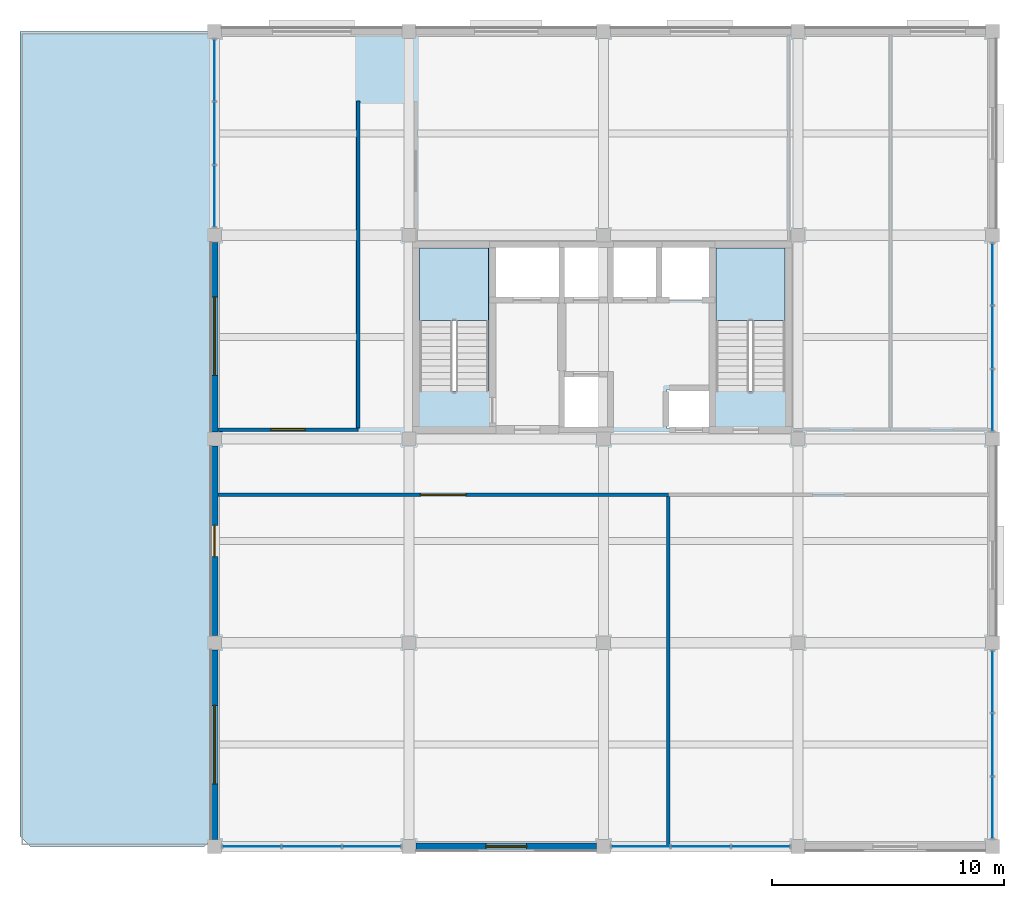
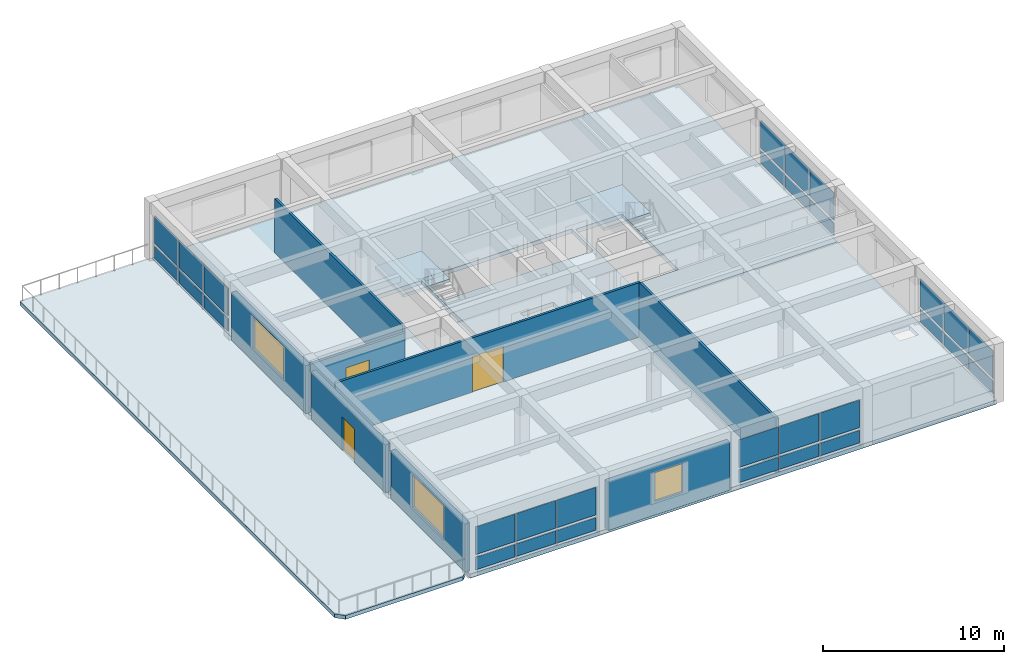
# One storey, part 5 of 10: 30 plates, 8 walls, 5 slabs, 3 doors, 3 windows, 6 openings, 7 elements without a shape of their own.
"""IFC4 building model written with IfcOpenShell, lengths in metres."""

from ifc_helpers import new_model, si_unit, direction, frame, frame_2d, origin, origin_2d, place, context, subcontext, project, spatial, polyline, rectangle, outline, extrude, material, layer, layer_set, type_object, element, fill, aggregate, save


model = new_model("IFC4")

# Units and contexts
model_context = context("Model", 3, precision=1e-05, world=origin(), true_north=direction((0.0, 1.0)))
body_context = subcontext(model_context, "Body", "Model", "MODEL_VIEW")
ifc_project = project(units=[si_unit("LENGTHUNIT", "METRE"), si_unit("AREAUNIT", "SQUARE_METRE"), si_unit("VOLUMEUNIT", "CUBIC_METRE"), si_unit("PLANEANGLEUNIT", "RADIAN"), si_unit("MASSUNIT", "GRAM", prefix="KILO")], contexts=[model_context])

# Site, building, storey
site_placement = place(None, origin())
site = spatial("IfcSite", under=ifc_project, at=site_placement, CompositionType="ELEMENT")
building_placement = place(site_placement, origin())
building = spatial("IfcBuilding", under=site, at=building_placement, Name="Kemercrest Conservatory and Botanical Centre", CompositionType="ELEMENT")
storey_placement = place(building_placement, frame((0.0, 0.0, 48.199951171875)))
storey = spatial("IfcBuildingStorey", under=building, at=storey_placement, Name="L12", CompositionType="ELEMENT", Elevation=48.199951171875)

# Curtain wall, plates
ifc_material_1 = material(Name="Thermally broken aluminium and triple low-e glazing", Category="aluminium")
curtain_wall_type_1 = type_object("IfcCurtainWallType", Name="CW-09", PredefinedType="USERDEFINED", material=ifc_material_1)
curtain_wall_1_placement = place(storey_placement, origin())
curtain_wall_1 = element("IfcCurtainWall", 1, at=curtain_wall_1_placement, inside=storey, type_object=curtain_wall_type_1, Name="Unitised curtain wall CW-09 (CW:L12:V4-128)", ObjectType="UNITISED CURTAIN WALL", PredefinedType="USERDEFINED")
ifc_material_2 = material(Name="Triple low-e argon insulated glazing unit", Category="glass")
ifc_layer_1 = layer(ifc_material_2, 0.035888671875)
ifc_layer_set_1 = layer_set([ifc_layer_1], Name="Triple low-e argon insulated glazing unit")
plate_type = type_object("IfcPlateType", Name="CW-PNL036", PredefinedType="CURTAIN_PANEL", material=ifc_layer_set_1)
plate_1_placement = place(storey_placement, frame((144.012939453125, 87.199951171875, 0.179931640625), z_axis=(0.0, 0.0, 1.0), x_axis=(1.0, 0.0, 0.0)))
plate_1 = element("IfcPlate", 2, at=plate_1_placement, type_object=plate_type, Name="CW-09 panel 1.1", PredefinedType="CURTAIN_PANEL", context=body_context, shape_type="SweptSolid", body=[
    extrude(rectangle(XDim=2.505859375, YDim=0.035888671875, at=origin_2d()), origin(), (0.0, 0.0, 1.0), 0.85009765625),
])
plate_2_placement = place(storey_placement, frame((144.012939453125, 87.199951171875, 1.2099609375), z_axis=(0.0, 0.0, 1.0), x_axis=(1.0, 0.0, 0.0)))
plate_2 = element("IfcPlate", 3, at=plate_2_placement, type_object=plate_type, Name="CW-09 panel 1.2", PredefinedType="CURTAIN_PANEL", context=body_context, shape_type="SweptSolid", body=[
    extrude(rectangle(XDim=2.505859375, YDim=0.035888671875, at=origin_2d()), origin(), (0.0, 0.0, 1.0), 1.864990234375),
])
plate_3_placement = place(storey_placement, frame((146.60009765625, 87.199951171875, 0.179931640625), z_axis=(0.0, 0.0, 1.0), x_axis=(1.0, 0.0, 0.0)))
plate_3 = element("IfcPlate", 4, at=plate_3_placement, type_object=plate_type, Name="CW-09 panel 2.1", PredefinedType="CURTAIN_PANEL", context=body_context, shape_type="SweptSolid", body=[
    extrude(rectangle(XDim=2.538330078125, YDim=0.035888671875, at=origin_2d()), origin(), (0.0, 0.0, 1.0), 0.85009765625),
])
plate_4_placement = place(storey_placement, frame((146.60009765625, 87.199951171875, 1.2099609375), z_axis=(0.0, 0.0, 1.0), x_axis=(1.0, 0.0, 0.0)))
plate_4 = element("IfcPlate", 5, at=plate_4_placement, type_object=plate_type, Name="CW-09 panel 2.2", PredefinedType="CURTAIN_PANEL", context=body_context, shape_type="SweptSolid", body=[
    extrude(rectangle(XDim=2.538330078125, YDim=0.035888671875, at=origin_2d()), origin(), (0.0, 0.0, 1.0), 1.864990234375),
])
plate_5_placement = place(storey_placement, frame((149.18701171875, 87.199951171875, 0.179931640625), z_axis=(0.0, 0.0, 1.0), x_axis=(1.0, 0.0, 0.0)))
plate_5 = element("IfcPlate", 6, at=plate_5_placement, type_object=plate_type, Name="CW-09 panel 3.1", PredefinedType="CURTAIN_PANEL", context=body_context, shape_type="SweptSolid", body=[
    extrude(rectangle(XDim=2.505859375, YDim=0.035888671875, at=origin_2d()), origin(), (0.0, 0.0, 1.0), 0.85009765625),
])
plate_6_placement = place(storey_placement, frame((149.18701171875, 87.199951171875, 1.2099609375), z_axis=(0.0, 0.0, 1.0), x_axis=(1.0, 0.0, 0.0)))
plate_6 = element("IfcPlate", 7, at=plate_6_placement, type_object=plate_type, Name="CW-09 panel 3.2", PredefinedType="CURTAIN_PANEL", context=body_context, shape_type="SweptSolid", body=[
    extrude(rectangle(XDim=2.505859375, YDim=0.035888671875, at=origin_2d()), origin(), (0.0, 0.0, 1.0), 1.864990234375),
])
aggregate(curtain_wall_1, [plate_1, plate_2, plate_3, plate_4, plate_5, plate_6])

curtain_wall_type_2 = type_object("IfcCurtainWallType", Name="CW-10", PredefinedType="USERDEFINED", material=ifc_material_1)
curtain_wall_2_placement = place(storey_placement, origin())
curtain_wall_2 = element("IfcCurtainWall", 8, at=curtain_wall_2_placement, inside=storey, type_object=curtain_wall_type_2, Name="Unitised curtain wall CW-10 (CW:L12:V4-129)", ObjectType="UNITISED CURTAIN WALL", PredefinedType="USERDEFINED")
plate_7_placement = place(storey_placement, frame((160.81298828125, 87.199951171875, 0.179931640625), z_axis=(0.0, 0.0, 1.0), x_axis=(1.0, 0.0, 0.0)))
plate_7 = element("IfcPlate", 9, at=plate_7_placement, type_object=plate_type, Name="CW-10 panel 1.1", PredefinedType="CURTAIN_PANEL", context=body_context, shape_type="SweptSolid", body=[
    extrude(rectangle(XDim=2.505859375, YDim=0.035888671875, at=origin_2d()), origin(), (0.0, 0.0, 1.0), 0.85009765625),
])
plate_8_placement = place(storey_placement, frame((160.81298828125, 87.199951171875, 1.2099609375), z_axis=(0.0, 0.0, 1.0), x_axis=(1.0, 0.0, 0.0)))
plate_8 = element("IfcPlate", 10, at=plate_8_placement, type_object=plate_type, Name="CW-10 panel 1.2", PredefinedType="CURTAIN_PANEL", context=body_context, shape_type="SweptSolid", body=[
    extrude(rectangle(XDim=2.505859375, YDim=0.035888671875, at=origin_2d()), origin(), (0.0, 0.0, 1.0), 1.864990234375),
])
plate_9_placement = place(storey_placement, frame((163.39990234375, 87.199951171875, 0.179931640625), z_axis=(0.0, 0.0, 1.0), x_axis=(1.0, 0.0, 0.0)))
plate_9 = element("IfcPlate", 11, at=plate_9_placement, type_object=plate_type, Name="CW-10 panel 2.1", PredefinedType="CURTAIN_PANEL", context=body_context, shape_type="SweptSolid", body=[
    extrude(rectangle(XDim=2.538330078125, YDim=0.035888671875, at=origin_2d()), origin(), (0.0, 0.0, 1.0), 0.85009765625),
])
plate_10_placement = place(storey_placement, frame((163.39990234375, 87.199951171875, 1.2099609375), z_axis=(0.0, 0.0, 1.0), x_axis=(1.0, 0.0, 0.0)))
plate_10 = element("IfcPlate", 12, at=plate_10_placement, type_object=plate_type, Name="CW-10 panel 2.2", PredefinedType="CURTAIN_PANEL", context=body_context, shape_type="SweptSolid", body=[
    extrude(rectangle(XDim=2.538330078125, YDim=0.035888671875, at=origin_2d()), origin(), (0.0, 0.0, 1.0), 1.864990234375),
])
plate_11_placement = place(storey_placement, frame((165.987060546875, 87.199951171875, 0.179931640625), z_axis=(0.0, 0.0, 1.0), x_axis=(1.0, 0.0, 0.0)))
plate_11 = element("IfcPlate", 13, at=plate_11_placement, type_object=plate_type, Name="CW-10 panel 3.1", PredefinedType="CURTAIN_PANEL", context=body_context, shape_type="SweptSolid", body=[
    extrude(rectangle(XDim=2.505859375, YDim=0.035888671875, at=origin_2d()), origin(), (0.0, 0.0, 1.0), 0.85009765625),
])
plate_12_placement = place(storey_placement, frame((165.987060546875, 87.199951171875, 1.2099609375), z_axis=(0.0, 0.0, 1.0), x_axis=(1.0, 0.0, 0.0)))
plate_12 = element("IfcPlate", 14, at=plate_12_placement, type_object=plate_type, Name="CW-10 panel 3.2", PredefinedType="CURTAIN_PANEL", context=body_context, shape_type="SweptSolid", body=[
    extrude(rectangle(XDim=2.505859375, YDim=0.035888671875, at=origin_2d()), origin(), (0.0, 0.0, 1.0), 1.864990234375),
])
aggregate(curtain_wall_2, [plate_7, plate_8, plate_9, plate_10, plate_11, plate_12])

curtain_wall_type_3 = type_object("IfcCurtainWallType", Name="CW-11", PredefinedType="USERDEFINED", material=ifc_material_1)
curtain_wall_3_placement = place(storey_placement, origin())
curtain_wall_3 = element("IfcCurtainWall", 15, at=curtain_wall_3_placement, inside=storey, type_object=curtain_wall_type_3, Name="Unitised curtain wall CW-11 (CW:L12:V4-130)", ObjectType="UNITISED CURTAIN WALL", PredefinedType="USERDEFINED")
plate_13_placement = place(storey_placement, frame((176.0, 88.879638671875, 0.179931640625), z_axis=(0.0, 0.0, 1.0), x_axis=(0.0, 1.0, 0.0)))
plate_13 = element("IfcPlate", 16, at=plate_13_placement, type_object=plate_type, Name="CW-11 panel 1.1", PredefinedType="CURTAIN_PANEL", context=body_context, shape_type="SweptSolid", body=[
    extrude(rectangle(XDim=2.63916015625, YDim=0.035888671875, at=origin_2d()), origin(), (0.0, 0.0, 1.0), 0.85009765625),
])
plate_14_placement = place(storey_placement, frame((176.0, 88.879638671875, 1.2099609375), z_axis=(0.0, 0.0, 1.0), x_axis=(0.0, 1.0, 0.0)))
plate_14 = element("IfcPlate", 17, at=plate_14_placement, type_object=plate_type, Name="CW-11 panel 1.2", PredefinedType="CURTAIN_PANEL", context=body_context, shape_type="SweptSolid", body=[
    extrude(rectangle(XDim=2.63916015625, YDim=0.035888671875, at=origin_2d()), origin(), (0.0, 0.0, 1.0), 1.864990234375),
])
plate_15_placement = place(storey_placement, frame((176.0, 91.60009765625, 0.179931640625), z_axis=(0.0, 0.0, 1.0), x_axis=(0.0, 1.0, 0.0)))
plate_15 = element("IfcPlate", 18, at=plate_15_placement, type_object=plate_type, Name="CW-11 panel 2.1", PredefinedType="CURTAIN_PANEL", context=body_context, shape_type="SweptSolid", body=[
    extrude(rectangle(XDim=2.671630859375, YDim=0.035888671875, at=origin_2d()), origin(), (0.0, 0.0, 1.0), 0.85009765625),
])
plate_16_placement = place(storey_placement, frame((176.0, 91.60009765625, 1.2099609375), z_axis=(0.0, 0.0, 1.0), x_axis=(0.0, 1.0, 0.0)))
plate_16 = element("IfcPlate", 19, at=plate_16_placement, type_object=plate_type, Name="CW-11 panel 2.2", PredefinedType="CURTAIN_PANEL", context=body_context, shape_type="SweptSolid", body=[
    extrude(rectangle(XDim=2.671630859375, YDim=0.035888671875, at=origin_2d()), origin(), (0.0, 0.0, 1.0), 1.864990234375),
])
plate_17_placement = place(storey_placement, frame((176.0, 94.3203125, 0.179931640625), z_axis=(0.0, 0.0, 1.0), x_axis=(0.0, 1.0, 0.0)))
plate_17 = element("IfcPlate", 20, at=plate_17_placement, type_object=plate_type, Name="CW-11 panel 3.1", PredefinedType="CURTAIN_PANEL", context=body_context, shape_type="SweptSolid", body=[
    extrude(rectangle(XDim=2.63916015625, YDim=0.035888671875, at=origin_2d()), origin(), (0.0, 0.0, 1.0), 0.85009765625),
])
plate_18_placement = place(storey_placement, frame((176.0, 94.3203125, 1.2099609375), z_axis=(0.0, 0.0, 1.0), x_axis=(0.0, 1.0, 0.0)))
plate_18 = element("IfcPlate", 21, at=plate_18_placement, type_object=plate_type, Name="CW-11 panel 3.2", PredefinedType="CURTAIN_PANEL", context=body_context, shape_type="SweptSolid", body=[
    extrude(rectangle(XDim=2.63916015625, YDim=0.035888671875, at=origin_2d()), origin(), (0.0, 0.0, 1.0), 1.864990234375),
])
aggregate(curtain_wall_3, [plate_13, plate_14, plate_15, plate_16, plate_17, plate_18])

curtain_wall_type_4 = type_object("IfcCurtainWallType", Name="CW-12", PredefinedType="USERDEFINED", material=ifc_material_1)
curtain_wall_4_placement = place(storey_placement, origin())
curtain_wall_4 = element("IfcCurtainWall", 22, at=curtain_wall_4_placement, inside=storey, type_object=curtain_wall_type_4, Name="Unitised curtain wall CW-12 (CW:L12:V4-131)", ObjectType="UNITISED CURTAIN WALL", PredefinedType="USERDEFINED")
plate_19_placement = place(storey_placement, frame((176.0, 106.4794921875, 0.179931640625), z_axis=(0.0, 0.0, 1.0), x_axis=(0.0, 1.0, 0.0)))
plate_19 = element("IfcPlate", 23, at=plate_19_placement, type_object=plate_type, Name="CW-12 panel 1.1", PredefinedType="CURTAIN_PANEL", context=body_context, shape_type="SweptSolid", body=[
    extrude(rectangle(XDim=2.63916015625, YDim=0.035888671875, at=origin_2d()), origin(), (0.0, 0.0, 1.0), 0.85009765625),
])
plate_20_placement = place(storey_placement, frame((176.0, 106.4794921875, 1.2099609375), z_axis=(0.0, 0.0, 1.0), x_axis=(0.0, 1.0, 0.0)))
plate_20 = element("IfcPlate", 24, at=plate_20_placement, type_object=plate_type, Name="CW-12 panel 1.2", PredefinedType="CURTAIN_PANEL", context=body_context, shape_type="SweptSolid", body=[
    extrude(rectangle(XDim=2.63916015625, YDim=0.035888671875, at=origin_2d()), origin(), (0.0, 0.0, 1.0), 1.864990234375),
])
plate_21_placement = place(storey_placement, frame((176.0, 109.199951171875, 0.179931640625), z_axis=(0.0, 0.0, 1.0), x_axis=(0.0, 1.0, 0.0)))
plate_21 = element("IfcPlate", 25, at=plate_21_placement, type_object=plate_type, Name="CW-12 panel 2.1", PredefinedType="CURTAIN_PANEL", context=body_context, shape_type="SweptSolid", body=[
    extrude(rectangle(XDim=2.671630859375, YDim=0.035888671875, at=origin_2d()), origin(), (0.0, 0.0, 1.0), 0.85009765625),
])
plate_22_placement = place(storey_placement, frame((176.0, 109.199951171875, 1.2099609375), z_axis=(0.0, 0.0, 1.0), x_axis=(0.0, 1.0, 0.0)))
plate_22 = element("IfcPlate", 26, at=plate_22_placement, type_object=plate_type, Name="CW-12 panel 2.2", PredefinedType="CURTAIN_PANEL", context=body_context, shape_type="SweptSolid", body=[
    extrude(rectangle(XDim=2.671630859375, YDim=0.035888671875, at=origin_2d()), origin(), (0.0, 0.0, 1.0), 1.864990234375),
])
plate_23_placement = place(storey_placement, frame((176.0, 111.92041015625, 0.179931640625), z_axis=(0.0, 0.0, 1.0), x_axis=(0.0, 1.0, 0.0)))
plate_23 = element("IfcPlate", 27, at=plate_23_placement, type_object=plate_type, Name="CW-12 panel 3.1", PredefinedType="CURTAIN_PANEL", context=body_context, shape_type="SweptSolid", body=[
    extrude(rectangle(XDim=2.63916015625, YDim=0.035888671875, at=origin_2d()), origin(), (0.0, 0.0, 1.0), 0.85009765625),
])
plate_24_placement = place(storey_placement, frame((176.0, 111.92041015625, 1.2099609375), z_axis=(0.0, 0.0, 1.0), x_axis=(0.0, 1.0, 0.0)))
plate_24 = element("IfcPlate", 28, at=plate_24_placement, type_object=plate_type, Name="CW-12 panel 3.2", PredefinedType="CURTAIN_PANEL", context=body_context, shape_type="SweptSolid", body=[
    extrude(rectangle(XDim=2.63916015625, YDim=0.035888671875, at=origin_2d()), origin(), (0.0, 0.0, 1.0), 1.864990234375),
])
aggregate(curtain_wall_4, [plate_19, plate_20, plate_21, plate_22, plate_23, plate_24])

curtain_wall_type_5 = type_object("IfcCurtainWallType", Name="CW-13", PredefinedType="USERDEFINED", material=ifc_material_1)
curtain_wall_5_placement = place(storey_placement, origin())
curtain_wall_5 = element("IfcCurtainWall", 29, at=curtain_wall_5_placement, inside=storey, type_object=curtain_wall_type_5, Name="Unitised curtain wall CW-13 (CW:L12:V4-132)", ObjectType="UNITISED CURTAIN WALL", PredefinedType="USERDEFINED")
plate_25_placement = place(storey_placement, frame((142.39990234375, 120.720458984375, 0.179931640625), z_axis=(0.0, 0.0, 1.0), x_axis=(0.0, -1.0, 0.0)))
plate_25 = element("IfcPlate", 30, at=plate_25_placement, type_object=plate_type, Name="CW-13 panel 1.1", PredefinedType="CURTAIN_PANEL", context=body_context, shape_type="SweptSolid", body=[
    extrude(rectangle(XDim=2.63916015625, YDim=0.035888671875, at=origin_2d()), origin(), (0.0, 0.0, 1.0), 0.85009765625),
])
plate_26_placement = place(storey_placement, frame((142.39990234375, 120.720458984375, 1.2099609375), z_axis=(0.0, 0.0, 1.0), x_axis=(0.0, -1.0, 0.0)))
plate_26 = element("IfcPlate", 31, at=plate_26_placement, type_object=plate_type, Name="CW-13 panel 1.2", PredefinedType="CURTAIN_PANEL", context=body_context, shape_type="SweptSolid", body=[
    extrude(rectangle(XDim=2.63916015625, YDim=0.035888671875, at=origin_2d()), origin(), (0.0, 0.0, 1.0), 1.864990234375),
])
plate_27_placement = place(storey_placement, frame((142.39990234375, 118.0, 0.179931640625), z_axis=(0.0, 0.0, 1.0), x_axis=(0.0, -1.0, 0.0)))
plate_27 = element("IfcPlate", 32, at=plate_27_placement, type_object=plate_type, Name="CW-13 panel 2.1", PredefinedType="CURTAIN_PANEL", context=body_context, shape_type="SweptSolid", body=[
    extrude(rectangle(XDim=2.671630859375, YDim=0.035888671875, at=origin_2d()), origin(), (0.0, 0.0, 1.0), 0.85009765625),
])
plate_28_placement = place(storey_placement, frame((142.39990234375, 118.0, 1.2099609375), z_axis=(0.0, 0.0, 1.0), x_axis=(0.0, -1.0, 0.0)))
plate_28 = element("IfcPlate", 33, at=plate_28_placement, type_object=plate_type, Name="CW-13 panel 2.2", PredefinedType="CURTAIN_PANEL", context=body_context, shape_type="SweptSolid", body=[
    extrude(rectangle(XDim=2.671630859375, YDim=0.035888671875, at=origin_2d()), origin(), (0.0, 0.0, 1.0), 1.864990234375),
])
plate_29_placement = place(storey_placement, frame((142.39990234375, 115.279541015625, 0.179931640625), z_axis=(0.0, 0.0, 1.0), x_axis=(0.0, -1.0, 0.0)))
plate_29 = element("IfcPlate", 34, at=plate_29_placement, type_object=plate_type, Name="CW-13 panel 3.1", PredefinedType="CURTAIN_PANEL", context=body_context, shape_type="SweptSolid", body=[
    extrude(rectangle(XDim=2.63916015625, YDim=0.035888671875, at=origin_2d()), origin(), (0.0, 0.0, 1.0), 0.85009765625),
])
plate_30_placement = place(storey_placement, frame((142.39990234375, 115.279541015625, 1.2099609375), z_axis=(0.0, 0.0, 1.0), x_axis=(0.0, -1.0, 0.0)))
plate_30 = element("IfcPlate", 35, at=plate_30_placement, type_object=plate_type, Name="CW-13 panel 3.2", PredefinedType="CURTAIN_PANEL", context=body_context, shape_type="SweptSolid", body=[
    extrude(rectangle(XDim=2.63916015625, YDim=0.035888671875, at=origin_2d()), origin(), (0.0, 0.0, 1.0), 1.864990234375),
])
aggregate(curtain_wall_5, [plate_25, plate_26, plate_27, plate_28, plate_29, plate_30])

# Slabs
ifc_material_3 = material(Name="Concrete C40/50", Category="concrete")
ifc_layer_2 = layer(ifc_material_3, 0.280029296875)
ifc_layer_set_2 = layer_set([ifc_layer_2], Name="Concrete C40/50")
slab_type_1 = type_object("IfcSlabType", Name="SL-FL280", PredefinedType="FLOOR", material=ifc_layer_set_2)
slab_1_placement = place(storey_placement, frame((0.0, 0.0, -0.280029296875)))
element("IfcSlab", 36, at=slab_1_placement, inside=storey, type_object=slab_type_1, Name="V4 Tower L12 North Core and Studio Slab", PredefinedType="FLOOR", context=body_context, shape_type="SweptSolid", body=[
    extrude(outline(polyline([(142.39990234375, 122.39990234375), (142.39990234375, 104.800048828125), (176.0, 104.800048828125), (176.0, 122.39990234375), (142.39990234375, 122.39990234375)]), holes=[polyline([(164.06005859375, 106.864990234375), (164.06005859375, 113.06005859375), (167.0400390625, 113.06005859375), (167.0400390625, 106.864990234375), (164.06005859375, 106.864990234375)]), polyline([(154.39990234375, 110.800048828125), (154.39990234375, 113.199951171875), (163.89990234375, 113.199951171875), (163.89990234375, 110.800048828125), (154.39990234375, 110.800048828125)]), polyline([(161.949951171875, 105.25), (161.949951171875, 106.949951171875), (163.85009765625, 106.949951171875), (163.85009765625, 105.25), (161.949951171875, 105.25)]), polyline([(157.39990234375, 105.199951171875), (157.39990234375, 107.60009765625), (159.5, 107.60009765625), (159.5, 105.199951171875), (157.39990234375, 105.199951171875)]), polyline([(154.239990234375, 106.864990234375), (151.260009765625, 106.864990234375), (151.260009765625, 113.06005859375), (154.239990234375, 113.06005859375), (154.239990234375, 106.864990234375)])]), origin(), (0.0, 0.0, 1.0), 0.280029296875),
])
slab_2_placement = place(storey_placement, frame((0.0, 0.0, -0.280029296875)))
element("IfcSlab", 37, at=slab_2_placement, inside=storey, type_object=slab_type_1, Name="V4 Tower L12 South Laboratory Slab", PredefinedType="FLOOR", context=body_context, shape_type="SweptSolid", body=[
    extrude(outline(polyline([(142.39990234375, 104.800048828125), (142.39990234375, 87.199951171875), (176.0, 87.199951171875), (176.0, 104.800048828125), (142.39990234375, 104.800048828125)]), holes=[polyline([(175.39990234375, 94.800048828125), (174.199951171875, 94.800048828125), (174.199951171875, 95.800048828125), (175.39990234375, 95.800048828125), (175.39990234375, 94.800048828125)])]), origin(), (0.0, 0.0, 1.0), 0.280029296875),
])

# Stair, slab
stair_type = type_object("IfcStairType", Name="ST-142-40", PredefinedType="HALF_TURN_STAIR", material=ifc_material_3)
stair_1_placement = place(storey_placement, origin())
stair_1 = element("IfcStair", 38, at=stair_1_placement, inside=storey, type_object=stair_type, Name="L12 Exit stair ST-V4A", PredefinedType="HALF_TURN_STAIR")
ifc_layer_3 = layer(ifc_material_3, 0.199951171875)
ifc_layer_set_3 = layer_set([ifc_layer_3], Name="Concrete C40/50")
slab_type_2 = type_object("IfcSlabType", Name="SL-LND200", PredefinedType="LANDING", material=ifc_layer_set_3)
slab_3_placement = place(storey_placement, frame((0.0, 0.0, 1.800048828125)))
slab_3 = element("IfcSlab", 39, at=slab_3_placement, type_object=slab_type_2, Name="ST-V4A landing 1", PredefinedType="LANDING", context=body_context, shape_type="SweptSolid", body=[
    extrude(outline(polyline([(154.239990234375, 109.919921875), (154.239990234375, 113.06005859375), (151.260009765625, 113.06005859375), (151.260009765625, 109.919921875), (154.239990234375, 109.919921875)])), origin(), (0.0, 0.0, 1.0), 0.199951171875),
])
aggregate(stair_1, [slab_3])

stair_2_placement = place(storey_placement, origin())
stair_2 = element("IfcStair", 40, at=stair_2_placement, inside=storey, type_object=stair_type, Name="L12 Exit stair ST-V4B", PredefinedType="HALF_TURN_STAIR")
slab_4_placement = place(storey_placement, frame((0.0, 0.0, 1.800048828125)))
slab_4 = element("IfcSlab", 41, at=slab_4_placement, type_object=slab_type_2, Name="ST-V4B landing 1", PredefinedType="LANDING", context=body_context, shape_type="SweptSolid", body=[
    extrude(outline(polyline([(167.0400390625, 109.919921875), (167.0400390625, 113.06005859375), (164.06005859375, 113.06005859375), (164.06005859375, 109.919921875), (167.0400390625, 109.919921875)])), origin(), (0.0, 0.0, 1.0), 0.199951171875),
])
aggregate(stair_2, [slab_4])

# Slab
ifc_layer_4 = layer(ifc_material_3, 0.260009765625)
ifc_layer_set_4 = layer_set([ifc_layer_4], Name="Concrete C40/50")
slab_type_3 = type_object("IfcSlabType", Name="SL-TER260", PredefinedType="ROOF", material=ifc_layer_set_4)
slab_5_placement = place(storey_placement, frame((0.0, 0.0, -0.260009765625)))
element("IfcSlab", 42, at=slab_5_placement, inside=storey, type_object=slab_type_3, Name="V4 L12 Symposium Harbour Setback Terrace", PredefinedType="ROOF", context=body_context, shape_type="SweptSolid", body=[
    extrude(outline(polyline([(134.449951171875, 87.199951171875), (141.949951171875, 87.199951171875), (142.39990234375, 87.64990234375), (142.39990234375, 122.39990234375), (134.0, 122.39990234375), (134.0, 87.64990234375), (134.449951171875, 87.199951171875)])), origin(), (0.0, 0.0, 1.0), 0.260009765625),
])

# Wall, opening, window
ifc_material_4 = material(Name="Precast concrete C40/50", Category="concrete")
ifc_layer_5 = layer(ifc_material_4, 0.300048828125)
ifc_layer_set_5 = layer_set([ifc_layer_5], Name="Precast concrete C40/50")
wall_type_1 = type_object("IfcWallType", Name="W-EXT300", PredefinedType="SOLIDWALL", material=ifc_layer_set_5)
wall_1_placement = place(storey_placement, frame((151.110107421875, 87.199951171875, 0.0), z_axis=(0.0, 0.0, 1.0), x_axis=(1.0, 0.0, 0.0)))
wall_1 = element("IfcWall", 43, at=wall_1_placement, inside=storey, type_object=wall_type_1, Name="Exterior almasik wall W-EXT300 (WAL:L12:EXT-312)", PredefinedType="SOLIDWALL", context=body_context, shape_type="SweptSolid", body=[
    extrude(rectangle(XDim=7.77978515625, YDim=0.300048828125, at=frame_2d((3.889892578125, 0.0))), origin(), (0.0, 0.0, 1.0), 3.25),
])
opening_1_placement = place(wall_1_placement, frame((3.010009765625, 0.0, 0.89990234375)))
opening_1 = element("IfcOpeningElement", 44, at=opening_1_placement, cuts=wall_1, Name="Opening WT-49", PredefinedType="OPENING", context=body_context, shape_type="SweptSolid", body=[
    extrude(rectangle(XDim=1.760009765625, YDim=1.93994140625, at=frame_2d((0.8798828125, 0.969970703125))), frame((0.0, 0.16015625, 0.0), z_axis=(0.0, -1.0, 0.0), x_axis=(1.0, 0.0, 0.0)), (0.0, 0.0, 1.0), 0.320068359375),
])
ifc_material_5 = material(Name="Thermally broken bronze-anodized aluminium and triple glazing", Category="aluminium")
window_type_1 = type_object("IfcWindowType", Name="WT-49", PartitioningType="SINGLE_PANEL", PredefinedType="WINDOW", material=ifc_material_5)
window_1_placement = place(opening_1_placement, origin())
window_1 = element("IfcWindow", 45, at=window_1_placement, inside=storey, type_object=window_type_1, Name="Exterior window WT-49 (WIN:L12:EXT-312)", OverallHeight=1.93994140625, OverallWidth=1.760009765625, PartitioningType="SINGLE_PANEL", PredefinedType="WINDOW", context=body_context, shape_type="SweptSolid", body=[
    extrude(rectangle(XDim=1.760009765625, YDim=1.93994140625, at=frame_2d((0.8798828125, 0.969970703125))), frame((0.0, 0.030029296875, 0.0), z_axis=(0.0, -1.0, 0.0), x_axis=(1.0, 0.0, 0.0)), (0.0, 0.0, 1.0), 0.06005859375),
])
fill(opening_1, window_1)

wall_2_placement = place(storey_placement, frame((142.39990234375, 113.2900390625, 0.0), z_axis=(0.0, 0.0, 1.0), x_axis=(0.0, -1.0, 0.0)))
wall_2 = element("IfcWall", 46, at=wall_2_placement, inside=storey, type_object=wall_type_1, Name="Exterior almasik wall W-EXT300 (WAL:L12:EXT-320)", PredefinedType="SOLIDWALL", context=body_context, shape_type="SweptSolid", body=[
    extrude(rectangle(XDim=8.179931640625, YDim=0.300048828125, at=frame_2d((4.08984375, 0.0))), origin(), (0.0, 0.0, 1.0), 3.25),
])
opening_2_placement = place(wall_2_placement, frame((2.344970703125, 0.0, 0.89990234375)))
opening_2 = element("IfcOpeningElement", 47, at=opening_2_placement, cuts=wall_2, Name="Opening WT-20", PredefinedType="OPENING", context=body_context, shape_type="SweptSolid", body=[
    extrude(rectangle(XDim=3.39990234375, YDim=2.14990234375, at=frame_2d((1.699951171875, 1.074951171875))), frame((0.0, 0.16015625, 0.0), z_axis=(0.0, -1.0, 0.0), x_axis=(1.0, 0.0, 0.0)), (0.0, 0.0, 1.0), 0.320068359375),
])
window_type_2 = type_object("IfcWindowType", Name="WT-20", PartitioningType="SINGLE_PANEL", PredefinedType="WINDOW", material=ifc_material_5)
window_2_placement = place(opening_2_placement, origin())
window_2 = element("IfcWindow", 48, at=window_2_placement, inside=storey, type_object=window_type_2, Name="Exterior window WT-20 (WIN:L12:EXT-320)", OverallHeight=2.14990234375, OverallWidth=3.39990234375, PartitioningType="SINGLE_PANEL", PredefinedType="WINDOW", context=body_context, shape_type="SweptSolid", body=[
    extrude(rectangle(XDim=3.39990234375, YDim=2.14990234375, at=frame_2d((1.699951171875, 1.074951171875))), frame((0.0, 0.030029296875, 0.0), z_axis=(0.0, -1.0, 0.0), x_axis=(1.0, 0.0, 0.0)), (0.0, 0.0, 1.0), 0.06005859375),
])
fill(opening_2, window_2)

# Wall, opening, door
wall_3_placement = place(storey_placement, frame((142.39990234375, 104.489990234375, 0.0), z_axis=(0.0, 0.0, 1.0), x_axis=(0.0, -1.0, 0.0)))
wall_3 = element("IfcWall", 49, at=wall_3_placement, inside=storey, type_object=wall_type_1, Name="Exterior almasik wall W-EXT300 (WAL:L12:EXT-321)", PredefinedType="SOLIDWALL", context=body_context, shape_type="SweptSolid", body=[
    extrude(rectangle(XDim=8.179931640625, YDim=0.300048828125, at=frame_2d((4.08984375, 0.0))), origin(), (0.0, 0.0, 1.0), 3.25),
])
opening_3_placement = place(wall_3_placement, frame((3.4150390625, 0.0, 0.0)))
opening_3 = element("IfcOpeningElement", 50, at=opening_3_placement, cuts=wall_3, Name="Opening ED045", PredefinedType="OPENING", context=body_context, shape_type="SweptSolid", body=[
    extrude(rectangle(XDim=1.35009765625, YDim=2.25, at=frame_2d((0.675048828125, 1.125))), frame((0.0, 0.16015625, 0.0), z_axis=(0.0, -1.0, 0.0), x_axis=(1.0, 0.0, 0.0)), (0.0, 0.0, 1.0), 0.320068359375),
])
ifc_material_6 = material(Name="Thermally broken bronze-anodized aluminium and laminated safety glass", Category="aluminium")
door_type_1 = type_object("IfcDoorType", Name="DT-E09", OperationType="NOTDEFINED", PredefinedType="DOOR", material=ifc_material_6)
door_1_placement = place(opening_3_placement, frame((1.35009765625, 0.0, 0.0), z_axis=(0.0, 0.0, 1.0), x_axis=(-1.0, 0.0, 0.0)))
door_1 = element("IfcDoor", 51, at=door_1_placement, inside=storey, type_object=door_type_1, Name="Symposium Harbour Setback Terrace Door", OperationType="SINGLE_SWING_LEFT", OverallHeight=2.25, OverallWidth=1.35009765625, PredefinedType="DOOR", context=body_context, shape_type="SweptSolid", body=[
    extrude(rectangle(XDim=1.35009765625, YDim=2.25, at=frame_2d((0.675048828125, 1.125))), frame((0.0, 0.02490234375, 0.0), z_axis=(0.0, -1.0, 0.0), x_axis=(1.0, 0.0, 0.0)), (0.0, 0.0, 1.0), 0.050048828125),
])
fill(opening_3, door_1)

# Wall, opening, window
wall_4_placement = place(storey_placement, frame((142.39990234375, 95.68994140625, 0.0), z_axis=(0.0, 0.0, 1.0), x_axis=(0.0, -1.0, 0.0)))
wall_4 = element("IfcWall", 52, at=wall_4_placement, inside=storey, type_object=wall_type_1, Name="Exterior almasik wall W-EXT300 (WAL:L12:EXT-322)", PredefinedType="SOLIDWALL", context=body_context, shape_type="SweptSolid", body=[
    extrude(rectangle(XDim=8.179931640625, YDim=0.300048828125, at=frame_2d((4.08984375, 0.0))), origin(), (0.0, 0.0, 1.0), 3.25),
])
opening_4_placement = place(wall_4_placement, frame((2.389892578125, 0.0, 0.89990234375)))
opening_4 = element("IfcOpeningElement", 53, at=opening_4_placement, cuts=wall_4, Name="Opening WT-20", PredefinedType="OPENING", context=body_context, shape_type="SweptSolid", body=[
    extrude(rectangle(XDim=3.39990234375, YDim=2.14990234375, at=frame_2d((1.699951171875, 1.074951171875))), frame((0.0, 0.16015625, 0.0), z_axis=(0.0, -1.0, 0.0), x_axis=(1.0, 0.0, 0.0)), (0.0, 0.0, 1.0), 0.320068359375),
])
window_3_placement = place(opening_4_placement, origin())
window_3 = element("IfcWindow", 54, at=window_3_placement, inside=storey, type_object=window_type_2, Name="Exterior window WT-20 (WIN:L12:EXT-322)", OverallHeight=2.14990234375, OverallWidth=3.39990234375, PartitioningType="SINGLE_PANEL", PredefinedType="WINDOW", context=body_context, shape_type="SweptSolid", body=[
    extrude(rectangle(XDim=3.39990234375, YDim=2.14990234375, at=frame_2d((1.699951171875, 1.074951171875))), frame((0.0, 0.030029296875, 0.0), z_axis=(0.0, -1.0, 0.0), x_axis=(1.0, 0.0, 0.0)), (0.0, 0.0, 1.0), 0.06005859375),
])
fill(opening_4, window_3)

# Wall, opening, door
ifc_material_7 = material(Name="Steel-stud gypsum board partition", Category="steel")
ifc_layer_6 = layer(ifc_material_7, 0.14990234375)
ifc_layer_set_6 = layer_set([ifc_layer_6], Name="Steel-stud gypsum board partition")
wall_type_2 = type_object("IfcWallType", Name="W-PART150", PredefinedType="PARTITIONING", material=ifc_layer_set_6)
wall_5_placement = place(storey_placement, frame((142.554931640625, 102.39990234375, 0.0), z_axis=(0.0, 0.0, 1.0), x_axis=(1.0, 0.0, 0.0)))
wall_5 = element("IfcWall", 55, at=wall_5_placement, inside=storey, type_object=wall_type_2, Name="Interior partition W-PART150 #268", PredefinedType="PARTITIONING", context=body_context, shape_type="SweptSolid", body=[
    extrude(rectangle(XDim=19.445068359375, YDim=0.14990234375, at=frame_2d((9.72265625, 0.0))), origin(), (0.0, 0.0, 1.0), 3.6650390625),
])
opening_5_placement = place(wall_5_placement, frame((8.732421875, 0.0, 0.0)))
opening_5 = element("IfcOpeningElement", 56, at=opening_5_placement, cuts=wall_5, Name="Opening D257", PredefinedType="OPENING", context=body_context, shape_type="SweptSolid", body=[
    extrude(rectangle(XDim=1.97998046875, YDim=2.39990234375, at=frame_2d((0.989990234375, 1.199951171875))), frame((0.0, 0.0849609375, 0.0), z_axis=(0.0, -1.0, 0.0), x_axis=(1.0, 0.0, 0.0)), (0.0, 0.0, 1.0), 0.169921875),
])
ifc_material_8 = material(Name="FSC solid-core white oak veneer and anodized aluminium frame", Category="aluminium")
door_type_2 = type_object("IfcDoorType", Name="DT-14", OperationType="DOUBLE_DOOR_SINGLE_SWING", PredefinedType="DOOR", material=ifc_material_8)
door_2_placement = place(opening_5_placement, origin())
door_2 = element("IfcDoor", 57, at=door_2_placement, inside=storey, type_object=door_type_2, Name="Botanical Colloquium Hall door D257", OperationType="DOUBLE_DOOR_SINGLE_SWING", OverallHeight=2.39990234375, OverallWidth=1.97998046875, PredefinedType="DOOR", context=body_context, shape_type="SweptSolid", body=[
    extrude(rectangle(XDim=1.97998046875, YDim=2.39990234375, at=frame_2d((0.989990234375, 1.199951171875))), frame((0.0, 0.02490234375, 0.0), z_axis=(0.0, -1.0, 0.0), x_axis=(1.0, 0.0, 0.0)), (0.0, 0.0, 1.0), 0.050048828125),
])
fill(opening_5, door_2)

wall_6_placement = place(storey_placement, frame((142.554931640625, 105.199951171875, 0.0), z_axis=(0.0, 0.0, 1.0), x_axis=(1.0, 0.0, 0.0)))
wall_6 = element("IfcWall", 58, at=wall_6_placement, inside=storey, type_object=wall_type_2, Name="Interior partition W-PART150 #270", PredefinedType="PARTITIONING", context=body_context, shape_type="SweptSolid", body=[
    extrude(rectangle(XDim=6.045166015625, YDim=0.14990234375, at=frame_2d((3.0224609375, 0.0))), origin(), (0.0, 0.0, 1.0), 3.2451171875),
])
opening_6_placement = place(wall_6_placement, frame((2.282470703125, 0.0, 0.0)))
opening_6 = element("IfcOpeningElement", 59, at=opening_6_placement, cuts=wall_6, Name="Opening D259", PredefinedType="OPENING", context=body_context, shape_type="SweptSolid", body=[
    extrude(rectangle(XDim=1.47998046875, YDim=2.199951171875, at=frame_2d((0.739990234375, 1.10009765625))), frame((0.0, 0.0849609375, 0.0), z_axis=(0.0, -1.0, 0.0), x_axis=(1.0, 0.0, 0.0)), (0.0, 0.0, 1.0), 0.169921875),
])
door_type_3 = type_object("IfcDoorType", Name="DT-09", OperationType="DOUBLE_DOOR_SINGLE_SWING", PredefinedType="DOOR", material=ifc_material_8)
door_3_placement = place(opening_6_placement, origin())
door_3 = element("IfcDoor", 60, at=door_3_placement, inside=storey, type_object=door_type_3, Name="Symposium Seminar Room door D259", OperationType="DOUBLE_DOOR_SINGLE_SWING", OverallHeight=2.199951171875, OverallWidth=1.47998046875, PredefinedType="DOOR", context=body_context, shape_type="SweptSolid", body=[
    extrude(rectangle(XDim=1.47998046875, YDim=2.199951171875, at=frame_2d((0.739990234375, 1.10009765625))), frame((0.0, 0.02490234375, 0.0), z_axis=(0.0, -1.0, 0.0), x_axis=(1.0, 0.0, 0.0)), (0.0, 0.0, 1.0), 0.050048828125),
])
fill(opening_6, door_3)

# Walls
wall_7_placement = place(storey_placement, frame((148.60009765625, 105.280029296875, 0.0), z_axis=(0.0, 0.0, 1.0), x_axis=(0.0, 1.0, 0.0)))
element("IfcWall", 61, at=wall_7_placement, inside=storey, type_object=wall_type_2, Name="Interior partition W-PART150 #273", PredefinedType="PARTITIONING", context=body_context, shape_type="SweptSolid", body=[
    extrude(rectangle(XDim=14.119873046875, YDim=0.14990234375, at=frame_2d((7.06005859375, 0.0))), origin(), (0.0, 0.0, 1.0), 3.6650390625),
])
wall_8_placement = place(storey_placement, frame((162.0, 87.199951171875, 0.0), z_axis=(0.0, 0.0, 1.0), x_axis=(0.0, 1.0, 0.0)))
element("IfcWall", 62, at=wall_8_placement, inside=storey, type_object=wall_type_2, Name="Interior partition W-PART150 #275", PredefinedType="PARTITIONING", context=body_context, shape_type="SweptSolid", body=[
    extrude(rectangle(XDim=15.1201171875, YDim=0.14990234375, at=frame_2d((7.56005859375, 0.0))), origin(), (0.0, 0.0, 1.0), 3.6650390625),
])

save(model, "model.ifc")
